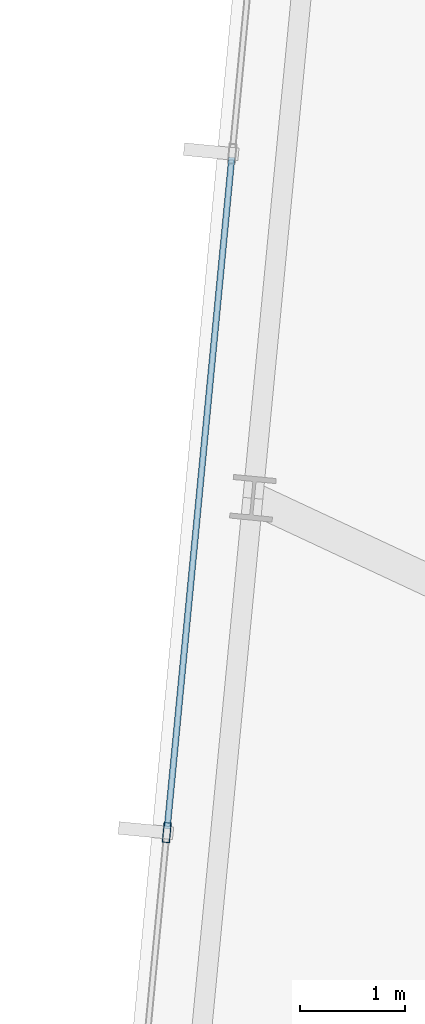
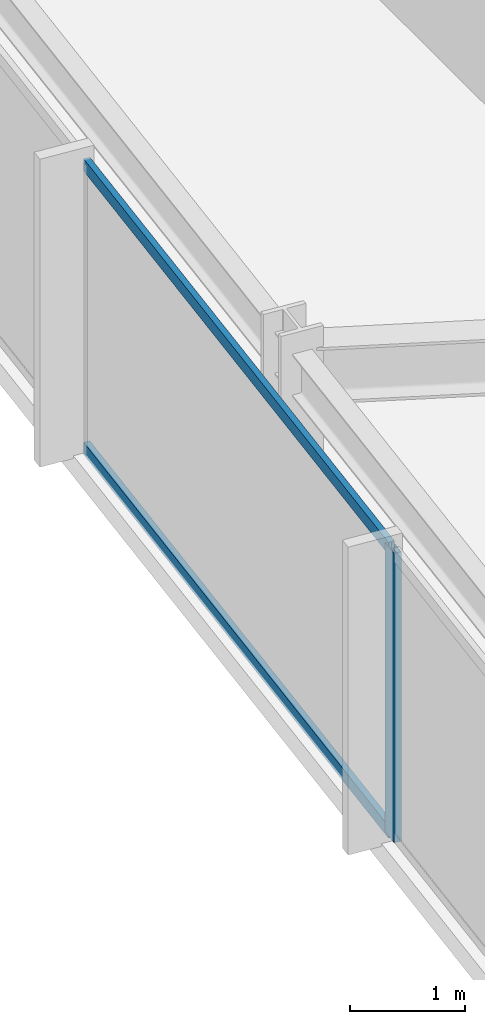
# One storey, part 8 of 37: 3 members, 1 element without a shape of its own.
"""IFC4 building model written with IfcOpenShell, lengths in metres."""

from ifc_helpers import new_model, si_unit, direction, frame, origin, origin_2d, place, context, subcontext, project, spatial, hollow_rectangle, extrude, material, material_profile, profile_set, type_object, element, aggregate, save


model = new_model("IFC4")

# Units and contexts
model_context = context("Model", 3, precision=1e-05, world=origin(), true_north=direction((0.0, 1.0)))
body_context = subcontext(model_context, "Body", "Model", "MODEL_VIEW")
ifc_project = project(units=[si_unit("LENGTHUNIT", "METRE"), si_unit("AREAUNIT", "SQUARE_METRE"), si_unit("VOLUMEUNIT", "CUBIC_METRE"), si_unit("PLANEANGLEUNIT", "RADIAN"), si_unit("MASSUNIT", "GRAM", prefix="KILO")], contexts=[model_context])

# Site, building, storey
site_placement = place(None, origin())
site = spatial("IfcSite", under=ifc_project, at=site_placement, CompositionType="ELEMENT")
building_placement = place(site_placement, origin())
building = spatial("IfcBuilding", under=site, at=building_placement, Name="Yelkora Congress Tower", CompositionType="ELEMENT")
storey_placement = place(building_placement, frame((0.0, 0.0, 158.89990234375)))
storey = spatial("IfcBuildingStorey", under=building, at=storey_placement, Name="L43", CompositionType="ELEMENT", Elevation=158.89990234375)

# Curtain wall, members
ifc_material_1 = material(Name="Anodised aluminium and insulated glass", Category="aluminium")
curtain_wall_type = type_object("IfcCurtainWallType", Name="CW-SYS-B3", PredefinedType="NOTDEFINED", material=ifc_material_1)
curtain_wall_placement = place(storey_placement, origin())
curtain_wall = element("IfcCurtainWall", 1, at=curtain_wall_placement, inside=storey, type_object=curtain_wall_type, Name="L43 Unitised Curtain Wall 5", PredefinedType="NOTDEFINED")
ifc_material_2 = material(Name="Anodised aluminium 6063-T6", Category="aluminium")
ifc_material_profile_1 = material_profile(ifc_material_2, hollow_rectangle(XDim=0.070068359375, YDim=0.18994140625, WallThickness=0.00390625, at=origin_2d()), Name="ALU 70x190x4")
ifc_profile_set_1 = profile_set([ifc_material_profile_1], Name="Anodised aluminium 6063-T6")
member_type_1 = type_object("IfcMemberType", Name="MEM-ML-B3", PredefinedType="MULLION", material=ifc_profile_set_1)
member_1_placement = place(storey_placement, frame((2.546142578125, 29.416259765625, 0.0), z_axis=(0.0, 0.0, 1.0), x_axis=(-0.995396242473, 0.095845294465, 0.0)))
member_1 = element("IfcMember", 2, at=member_1_placement, type_object=member_type_1, Name="CW-B3 mullion 3", PredefinedType="MULLION", context=body_context, shape_type="SweptSolid", body=[
    extrude(hollow_rectangle(XDim=0.070068359375, YDim=0.18994140625, WallThickness=0.00390625, at=origin_2d()), origin(), (0.0, 0.0, 1.0), 3.080078125),
])
ifc_material_profile_2 = material_profile(ifc_material_2, hollow_rectangle(XDim=0.06005859375, YDim=0.1298828125, WallThickness=0.00390625, at=origin_2d()), Name="ALU 60x130x4")
ifc_profile_set_2 = profile_set([ifc_material_profile_2], Name="Anodised aluminium 6063-T6")
member_type_2 = type_object("IfcMemberType", Name="MEM-TR-B3", PredefinedType="USERDEFINED", material=ifc_profile_set_2)
member_2_placement = place(storey_placement, frame((2.549560546875, 29.450927734375, 0.030029296875), z_axis=(0.095843682057, 0.995396397728, 0.0), x_axis=(-0.995396397728, 0.095843682057, 0.0)))
member_2 = element("IfcMember", 3, at=member_2_placement, type_object=member_type_2, Name="CW-B3 transom 3.1", ObjectType="TRANSOM", PredefinedType="USERDEFINED", context=body_context, shape_type="SweptSolid", body=[
    extrude(hollow_rectangle(XDim=0.06005859375, YDim=0.1298828125, WallThickness=0.00390625, at=origin_2d()), origin(), (0.0, 0.0, 1.0), 6.4140625),
])
member_3_placement = place(storey_placement, frame((2.549560546875, 29.450927734375, 3.050048828125), z_axis=(0.095843682057, 0.995396397728, 0.0), x_axis=(-0.995396397728, 0.095843682057, 0.0)))
member_3 = element("IfcMember", 4, at=member_3_placement, type_object=member_type_2, Name="CW-B3 transom 3.2", ObjectType="TRANSOM", PredefinedType="USERDEFINED", context=body_context, shape_type="SweptSolid", body=[
    extrude(hollow_rectangle(XDim=0.06005859375, YDim=0.1298828125, WallThickness=0.00390625, at=origin_2d()), origin(), (0.0, 0.0, 1.0), 6.4140625),
])
aggregate(curtain_wall, [member_1, member_2, member_3])

save(model, "model.ifc")
